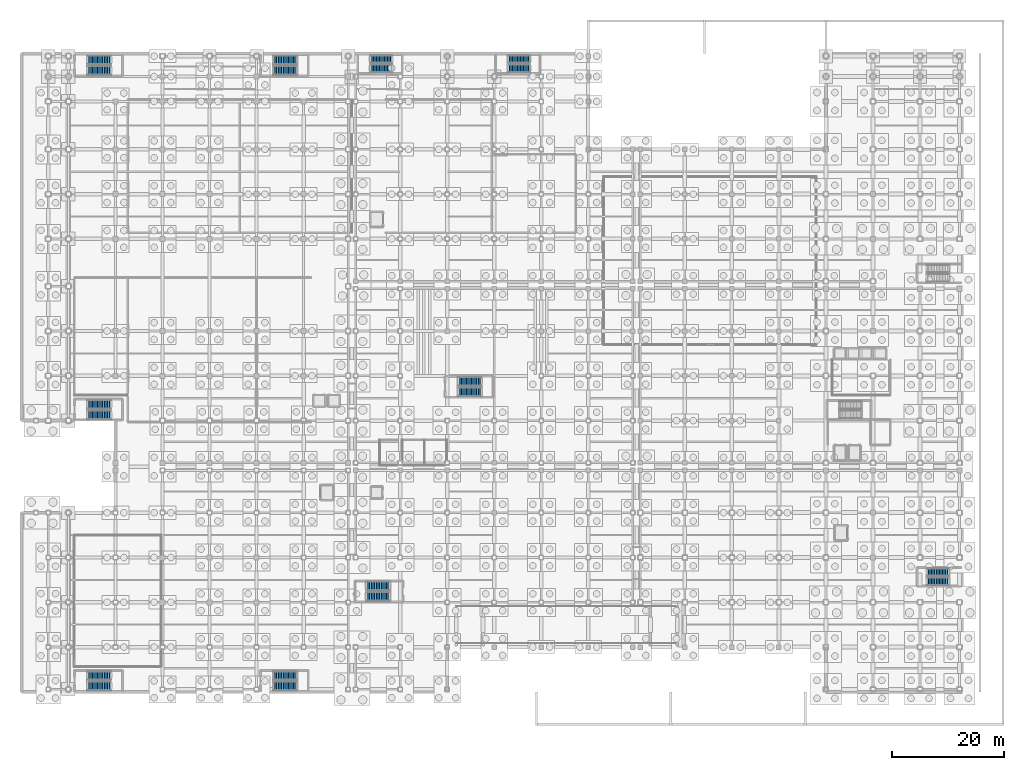
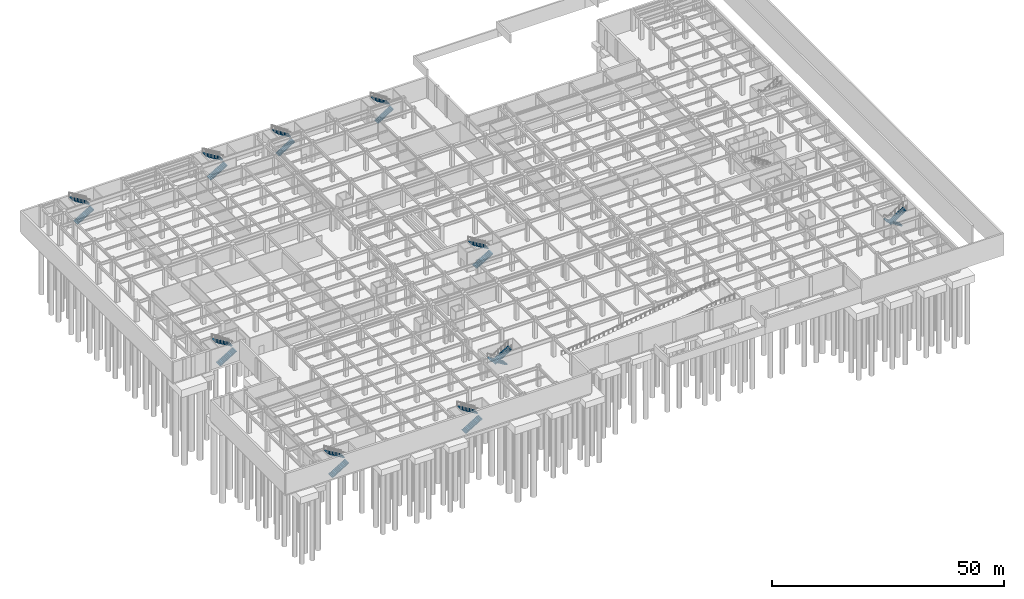
# One storey, part 40 of 55: 20 stair flights, 10 elements without a shape of their own.
"""IFC4 building model written with IfcOpenShell, lengths in metres."""

from ifc_helpers import new_model, si_unit, direction, frame, origin, place, context, subcontext, project, spatial, polyline, outline, extrude, material, type_object, element, aggregate, save


model = new_model("IFC4")

# Units and contexts
model_context = context("Model", 3, precision=1e-05, world=origin(), true_north=direction((0.0, 1.0)))
body_context = subcontext(model_context, "Body", "Model", "MODEL_VIEW")
ifc_project = project(units=[si_unit("LENGTHUNIT", "METRE"), si_unit("AREAUNIT", "SQUARE_METRE"), si_unit("VOLUMEUNIT", "CUBIC_METRE"), si_unit("PLANEANGLEUNIT", "RADIAN"), si_unit("MASSUNIT", "GRAM", prefix="KILO")], contexts=[model_context])

# Site, building, storey
site_placement = place(None, origin())
site = spatial("IfcSite", under=ifc_project, at=site_placement, CompositionType="ELEMENT")
building_placement = place(site_placement, origin())
building = spatial("IfcBuilding", under=site, at=building_placement, Name="Kazehara Bluff Congress Hotel", CompositionType="ELEMENT")
storey_placement = place(building_placement, frame((0.0, 0.0, -5.39990234375)))
storey = spatial("IfcBuildingStorey", under=building, at=storey_placement, Name="B1", CompositionType="ELEMENT", Elevation=-5.39990234375)

# Stair, stair flights
ifc_material_1 = material(Name="Concrete C36/45", Category="concrete")
stair_type_1 = type_object("IfcStairType", Name="TP-ST-T01", PredefinedType="HALF_TURN_STAIR", material=ifc_material_1)
stair_1_placement = place(storey_placement, origin())
stair_1 = element("IfcStair", 1, at=stair_1_placement, inside=storey, type_object=stair_type_1, Name="B1 Escape stair ST-01", PredefinedType="HALF_TURN_STAIR")
ifc_material_2 = material(Name="Concrete C36/45", Category="concrete")
stair_flight_type_1 = type_object("IfcStairFlightType", Name="TP-SF-T01", PredefinedType="STRAIGHT", material=ifc_material_2)
stair_flight_1_placement = place(storey_placement, frame((11.800048828125, 110.97509765625, 0.0), z_axis=(0.0, 0.0, 1.0), x_axis=(1.0, 0.0, 0.0)))
stair_flight_1 = element("IfcStairFlight", 2, at=stair_flight_1_placement, type_object=stair_flight_type_1, Name="ST-01 flight 1", NumberOfRisers=15, NumberOfTreads=14, PredefinedType="STRAIGHT", RiserHeight=0.18, TreadLength=0.3, context=body_context, shape_type="SweptSolid", body=[
    extrude(outline(polyline([(0.0, 0.0), (0.0, 0.179931640625), (0.300048828125, 0.179931640625), (0.300048828125, 0.360107421875), (0.60009765625, 0.360107421875), (0.60009765625, 0.5400390625), (0.89990234375, 0.5400390625), (0.89990234375, 0.719970703125), (1.199951171875, 0.719970703125), (1.199951171875, 0.89990234375), (1.5, 0.89990234375), (1.5, 1.080078125), (1.800048828125, 1.080078125), (1.800048828125, 1.260009765625), (2.10009765625, 1.260009765625), (2.10009765625, 1.43994140625), (2.39990234375, 1.43994140625), (2.39990234375, 1.6201171875), (2.699951171875, 1.6201171875), (2.699951171875, 1.800048828125), (3.0, 1.800048828125), (3.0, 1.97998046875), (3.300048828125, 1.97998046875), (3.300048828125, 2.159912109375), (3.60009765625, 2.159912109375), (3.60009765625, 2.340087890625), (3.89990234375, 2.340087890625), (3.89990234375, 2.52001953125), (4.199951171875, 2.52001953125), (4.199951171875, 2.699951171875), (4.199951171875, 2.33349609375), (0.310791015625, 0.0), (0.0, 0.0)])), frame((0.0, 0.824951171875, 0.0), z_axis=(0.0, -1.0, 0.0), x_axis=(1.0, 0.0, 0.0)), (0.0, 0.0, 1.0), 1.64990234375),
])
stair_flight_2_placement = place(storey_placement, frame((16.0, 112.824951171875, 2.699951171875), z_axis=(0.0, 0.0, 1.0), x_axis=(-1.0, 0.0, 0.0)))
stair_flight_2 = element("IfcStairFlight", 3, at=stair_flight_2_placement, type_object=stair_flight_type_1, Name="ST-01 flight 2", NumberOfRisers=15, NumberOfTreads=14, PredefinedType="STRAIGHT", RiserHeight=0.18, TreadLength=0.3, context=body_context, shape_type="SweptSolid", body=[
    extrude(outline(polyline([(0.0, 0.0), (0.0, 0.179931640625), (0.300048828125, 0.179931640625), (0.300048828125, 0.360107421875), (0.60009765625, 0.360107421875), (0.60009765625, 0.5400390625), (0.89990234375, 0.5400390625), (0.89990234375, 0.719970703125), (1.199951171875, 0.719970703125), (1.199951171875, 0.89990234375), (1.5, 0.89990234375), (1.5, 1.080078125), (1.800048828125, 1.080078125), (1.800048828125, 1.260009765625), (2.10009765625, 1.260009765625), (2.10009765625, 1.43994140625), (2.39990234375, 1.43994140625), (2.39990234375, 1.6201171875), (2.699951171875, 1.6201171875), (2.699951171875, 1.800048828125), (3.0, 1.800048828125), (3.0, 1.97998046875), (3.300048828125, 1.97998046875), (3.300048828125, 2.159912109375), (3.60009765625, 2.159912109375), (3.60009765625, 2.340087890625), (3.89990234375, 2.340087890625), (3.89990234375, 2.52001953125), (4.199951171875, 2.52001953125), (4.199951171875, 2.699951171875), (4.199951171875, 2.33349609375), (0.310791015625, 0.0), (0.0, 0.0)])), frame((0.0, 0.824951171875, 0.0), z_axis=(0.0, -1.0, 0.0), x_axis=(1.0, 0.0, 0.0)), (0.0, 0.0, 1.0), 1.64990234375),
])
aggregate(stair_1, [stair_flight_1, stair_flight_2])

stair_2_placement = place(storey_placement, origin())
stair_2 = element("IfcStair", 4, at=stair_2_placement, inside=storey, type_object=stair_type_1, Name="B1 Escape stair ST-02", PredefinedType="HALF_TURN_STAIR")
stair_flight_3_placement = place(storey_placement, frame((45.0, 110.97509765625, 0.0), z_axis=(0.0, 0.0, 1.0), x_axis=(1.0, 0.0, 0.0)))
stair_flight_3 = element("IfcStairFlight", 5, at=stair_flight_3_placement, type_object=stair_flight_type_1, Name="ST-02 flight 1", NumberOfRisers=15, NumberOfTreads=14, PredefinedType="STRAIGHT", RiserHeight=0.18, TreadLength=0.3, context=body_context, shape_type="SweptSolid", body=[
    extrude(outline(polyline([(0.0, 0.0), (0.0, 0.179931640625), (0.300048828125, 0.179931640625), (0.300048828125, 0.360107421875), (0.60009765625, 0.360107421875), (0.60009765625, 0.5400390625), (0.89990234375, 0.5400390625), (0.89990234375, 0.719970703125), (1.199951171875, 0.719970703125), (1.199951171875, 0.89990234375), (1.5, 0.89990234375), (1.5, 1.080078125), (1.800048828125, 1.080078125), (1.800048828125, 1.260009765625), (2.10009765625, 1.260009765625), (2.10009765625, 1.43994140625), (2.39990234375, 1.43994140625), (2.39990234375, 1.6201171875), (2.699951171875, 1.6201171875), (2.699951171875, 1.800048828125), (3.0, 1.800048828125), (3.0, 1.97998046875), (3.300048828125, 1.97998046875), (3.300048828125, 2.159912109375), (3.60009765625, 2.159912109375), (3.60009765625, 2.340087890625), (3.89990234375, 2.340087890625), (3.89990234375, 2.52001953125), (4.199951171875, 2.52001953125), (4.199951171875, 2.699951171875), (4.199951171875, 2.33349609375), (0.310791015625, 0.0), (0.0, 0.0)])), frame((0.0, 0.824951171875, 0.0), z_axis=(0.0, -1.0, 0.0), x_axis=(1.0, 0.0, 0.0)), (0.0, 0.0, 1.0), 1.64990234375),
])
stair_flight_4_placement = place(storey_placement, frame((49.199951171875, 112.824951171875, 2.699951171875), z_axis=(0.0, 0.0, 1.0), x_axis=(-1.0, 0.0, 0.0)))
stair_flight_4 = element("IfcStairFlight", 6, at=stair_flight_4_placement, type_object=stair_flight_type_1, Name="ST-02 flight 2", NumberOfRisers=15, NumberOfTreads=14, PredefinedType="STRAIGHT", RiserHeight=0.18, TreadLength=0.3, context=body_context, shape_type="SweptSolid", body=[
    extrude(outline(polyline([(0.0, 0.0), (0.0, 0.179931640625), (0.300048828125, 0.179931640625), (0.300048828125, 0.360107421875), (0.60009765625, 0.360107421875), (0.60009765625, 0.5400390625), (0.89990234375, 0.5400390625), (0.89990234375, 0.719970703125), (1.199951171875, 0.719970703125), (1.199951171875, 0.89990234375), (1.5, 0.89990234375), (1.5, 1.080078125), (1.800048828125, 1.080078125), (1.800048828125, 1.260009765625), (2.10009765625, 1.260009765625), (2.10009765625, 1.43994140625), (2.39990234375, 1.43994140625), (2.39990234375, 1.6201171875), (2.699951171875, 1.6201171875), (2.699951171875, 1.800048828125), (3.0, 1.800048828125), (3.0, 1.97998046875), (3.300048828125, 1.97998046875), (3.300048828125, 2.159912109375), (3.60009765625, 2.159912109375), (3.60009765625, 2.340087890625), (3.89990234375, 2.340087890625), (3.89990234375, 2.52001953125), (4.199951171875, 2.52001953125), (4.199951171875, 2.699951171875), (4.199951171875, 2.33349609375), (0.310791015625, 0.0), (0.0, 0.0)])), frame((0.0, 0.824951171875, 0.0), z_axis=(0.0, -1.0, 0.0), x_axis=(1.0, 0.0, 0.0)), (0.0, 0.0, 1.0), 1.64990234375),
])
aggregate(stair_2, [stair_flight_3, stair_flight_4])

stair_3_placement = place(storey_placement, origin())
stair_3 = element("IfcStair", 7, at=stair_3_placement, inside=storey, type_object=stair_type_1, Name="B1 Escape stair ST-03", PredefinedType="HALF_TURN_STAIR")
stair_flight_5_placement = place(storey_placement, frame((11.800048828125, 49.47509765625, 0.0), z_axis=(0.0, 0.0, 1.0), x_axis=(1.0, 0.0, 0.0)))
stair_flight_5 = element("IfcStairFlight", 8, at=stair_flight_5_placement, type_object=stair_flight_type_1, Name="ST-03 flight 1", NumberOfRisers=15, NumberOfTreads=14, PredefinedType="STRAIGHT", RiserHeight=0.18, TreadLength=0.3, context=body_context, shape_type="SweptSolid", body=[
    extrude(outline(polyline([(0.0, 0.0), (0.0, 0.179931640625), (0.300048828125, 0.179931640625), (0.300048828125, 0.360107421875), (0.60009765625, 0.360107421875), (0.60009765625, 0.5400390625), (0.89990234375, 0.5400390625), (0.89990234375, 0.719970703125), (1.199951171875, 0.719970703125), (1.199951171875, 0.89990234375), (1.5, 0.89990234375), (1.5, 1.080078125), (1.800048828125, 1.080078125), (1.800048828125, 1.260009765625), (2.10009765625, 1.260009765625), (2.10009765625, 1.43994140625), (2.39990234375, 1.43994140625), (2.39990234375, 1.6201171875), (2.699951171875, 1.6201171875), (2.699951171875, 1.800048828125), (3.0, 1.800048828125), (3.0, 1.97998046875), (3.300048828125, 1.97998046875), (3.300048828125, 2.159912109375), (3.60009765625, 2.159912109375), (3.60009765625, 2.340087890625), (3.89990234375, 2.340087890625), (3.89990234375, 2.52001953125), (4.199951171875, 2.52001953125), (4.199951171875, 2.699951171875), (4.199951171875, 2.33349609375), (0.310791015625, 0.0), (0.0, 0.0)])), frame((0.0, 0.824951171875, 0.0), z_axis=(0.0, -1.0, 0.0), x_axis=(1.0, 0.0, 0.0)), (0.0, 0.0, 1.0), 1.64990234375),
])
stair_flight_6_placement = place(storey_placement, frame((16.0, 51.324951171875, 2.699951171875), z_axis=(0.0, 0.0, 1.0), x_axis=(-1.0, 0.0, 0.0)))
stair_flight_6 = element("IfcStairFlight", 9, at=stair_flight_6_placement, type_object=stair_flight_type_1, Name="ST-03 flight 2", NumberOfRisers=15, NumberOfTreads=14, PredefinedType="STRAIGHT", RiserHeight=0.18, TreadLength=0.3, context=body_context, shape_type="SweptSolid", body=[
    extrude(outline(polyline([(0.0, 0.0), (0.0, 0.179931640625), (0.300048828125, 0.179931640625), (0.300048828125, 0.360107421875), (0.60009765625, 0.360107421875), (0.60009765625, 0.5400390625), (0.89990234375, 0.5400390625), (0.89990234375, 0.719970703125), (1.199951171875, 0.719970703125), (1.199951171875, 0.89990234375), (1.5, 0.89990234375), (1.5, 1.080078125), (1.800048828125, 1.080078125), (1.800048828125, 1.260009765625), (2.10009765625, 1.260009765625), (2.10009765625, 1.43994140625), (2.39990234375, 1.43994140625), (2.39990234375, 1.6201171875), (2.699951171875, 1.6201171875), (2.699951171875, 1.800048828125), (3.0, 1.800048828125), (3.0, 1.97998046875), (3.300048828125, 1.97998046875), (3.300048828125, 2.159912109375), (3.60009765625, 2.159912109375), (3.60009765625, 2.340087890625), (3.89990234375, 2.340087890625), (3.89990234375, 2.52001953125), (4.199951171875, 2.52001953125), (4.199951171875, 2.699951171875), (4.199951171875, 2.33349609375), (0.310791015625, 0.0), (0.0, 0.0)])), frame((0.0, 0.824951171875, 0.0), z_axis=(0.0, -1.0, 0.0), x_axis=(1.0, 0.0, 0.0)), (0.0, 0.0, 1.0), 1.64990234375),
])
aggregate(stair_3, [stair_flight_5, stair_flight_6])

stair_4_placement = place(storey_placement, origin())
stair_4 = element("IfcStair", 10, at=stair_4_placement, inside=storey, type_object=stair_type_1, Name="B1 Escape stair ST-04", PredefinedType="HALF_TURN_STAIR")
stair_flight_7_placement = place(storey_placement, frame((11.800048828125, 1.02490234375, 0.0), z_axis=(0.0, 0.0, 1.0), x_axis=(1.0, 0.0, 0.0)))
stair_flight_7 = element("IfcStairFlight", 11, at=stair_flight_7_placement, type_object=stair_flight_type_1, Name="ST-04 flight 1", NumberOfRisers=15, NumberOfTreads=14, PredefinedType="STRAIGHT", RiserHeight=0.18, TreadLength=0.3, context=body_context, shape_type="SweptSolid", body=[
    extrude(outline(polyline([(0.0, 0.0), (0.0, 0.179931640625), (0.300048828125, 0.179931640625), (0.300048828125, 0.360107421875), (0.60009765625, 0.360107421875), (0.60009765625, 0.5400390625), (0.89990234375, 0.5400390625), (0.89990234375, 0.719970703125), (1.199951171875, 0.719970703125), (1.199951171875, 0.89990234375), (1.5, 0.89990234375), (1.5, 1.080078125), (1.800048828125, 1.080078125), (1.800048828125, 1.260009765625), (2.10009765625, 1.260009765625), (2.10009765625, 1.43994140625), (2.39990234375, 1.43994140625), (2.39990234375, 1.6201171875), (2.699951171875, 1.6201171875), (2.699951171875, 1.800048828125), (3.0, 1.800048828125), (3.0, 1.97998046875), (3.300048828125, 1.97998046875), (3.300048828125, 2.159912109375), (3.60009765625, 2.159912109375), (3.60009765625, 2.340087890625), (3.89990234375, 2.340087890625), (3.89990234375, 2.52001953125), (4.199951171875, 2.52001953125), (4.199951171875, 2.699951171875), (4.199951171875, 2.33349609375), (0.310791015625, 0.0), (0.0, 0.0)])), frame((0.0, 0.824951171875, 0.0), z_axis=(0.0, -1.0, 0.0), x_axis=(1.0, 0.0, 0.0)), (0.0, 0.0, 1.0), 1.64990234375),
])
stair_flight_8_placement = place(storey_placement, frame((16.0, 2.875, 2.699951171875), z_axis=(0.0, 0.0, 1.0), x_axis=(-1.0, 0.0, 0.0)))
stair_flight_8 = element("IfcStairFlight", 12, at=stair_flight_8_placement, type_object=stair_flight_type_1, Name="ST-04 flight 2", NumberOfRisers=15, NumberOfTreads=14, PredefinedType="STRAIGHT", RiserHeight=0.18, TreadLength=0.3, context=body_context, shape_type="SweptSolid", body=[
    extrude(outline(polyline([(0.0, 0.0), (0.0, 0.179931640625), (0.300048828125, 0.179931640625), (0.300048828125, 0.360107421875), (0.60009765625, 0.360107421875), (0.60009765625, 0.5400390625), (0.89990234375, 0.5400390625), (0.89990234375, 0.719970703125), (1.199951171875, 0.719970703125), (1.199951171875, 0.89990234375), (1.5, 0.89990234375), (1.5, 1.080078125), (1.800048828125, 1.080078125), (1.800048828125, 1.260009765625), (2.10009765625, 1.260009765625), (2.10009765625, 1.43994140625), (2.39990234375, 1.43994140625), (2.39990234375, 1.6201171875), (2.699951171875, 1.6201171875), (2.699951171875, 1.800048828125), (3.0, 1.800048828125), (3.0, 1.97998046875), (3.300048828125, 1.97998046875), (3.300048828125, 2.159912109375), (3.60009765625, 2.159912109375), (3.60009765625, 2.340087890625), (3.89990234375, 2.340087890625), (3.89990234375, 2.52001953125), (4.199951171875, 2.52001953125), (4.199951171875, 2.699951171875), (4.199951171875, 2.33349609375), (0.310791015625, 0.0), (0.0, 0.0)])), frame((0.0, 0.824951171875, 0.0), z_axis=(0.0, -1.0, 0.0), x_axis=(1.0, 0.0, 0.0)), (0.0, 0.0, 1.0), 1.64990234375),
])
aggregate(stair_4, [stair_flight_7, stair_flight_8])

stair_5_placement = place(storey_placement, origin())
stair_5 = element("IfcStair", 13, at=stair_5_placement, inside=storey, type_object=stair_type_1, Name="B1 Escape stair ST-05", PredefinedType="HALF_TURN_STAIR")
stair_flight_9_placement = place(storey_placement, frame((45.0, 1.02490234375, 0.0), z_axis=(0.0, 0.0, 1.0), x_axis=(1.0, 0.0, 0.0)))
stair_flight_9 = element("IfcStairFlight", 14, at=stair_flight_9_placement, type_object=stair_flight_type_1, Name="ST-05 flight 1", NumberOfRisers=15, NumberOfTreads=14, PredefinedType="STRAIGHT", RiserHeight=0.18, TreadLength=0.3, context=body_context, shape_type="SweptSolid", body=[
    extrude(outline(polyline([(0.0, 0.0), (0.0, 0.179931640625), (0.300048828125, 0.179931640625), (0.300048828125, 0.360107421875), (0.60009765625, 0.360107421875), (0.60009765625, 0.5400390625), (0.89990234375, 0.5400390625), (0.89990234375, 0.719970703125), (1.199951171875, 0.719970703125), (1.199951171875, 0.89990234375), (1.5, 0.89990234375), (1.5, 1.080078125), (1.800048828125, 1.080078125), (1.800048828125, 1.260009765625), (2.10009765625, 1.260009765625), (2.10009765625, 1.43994140625), (2.39990234375, 1.43994140625), (2.39990234375, 1.6201171875), (2.699951171875, 1.6201171875), (2.699951171875, 1.800048828125), (3.0, 1.800048828125), (3.0, 1.97998046875), (3.300048828125, 1.97998046875), (3.300048828125, 2.159912109375), (3.60009765625, 2.159912109375), (3.60009765625, 2.340087890625), (3.89990234375, 2.340087890625), (3.89990234375, 2.52001953125), (4.199951171875, 2.52001953125), (4.199951171875, 2.699951171875), (4.199951171875, 2.33349609375), (0.310791015625, 0.0), (0.0, 0.0)])), frame((0.0, 0.824951171875, 0.0), z_axis=(0.0, -1.0, 0.0), x_axis=(1.0, 0.0, 0.0)), (0.0, 0.0, 1.0), 1.64990234375),
])
stair_flight_10_placement = place(storey_placement, frame((49.199951171875, 2.875, 2.699951171875), z_axis=(0.0, 0.0, 1.0), x_axis=(-1.0, 0.0, 0.0)))
stair_flight_10 = element("IfcStairFlight", 15, at=stair_flight_10_placement, type_object=stair_flight_type_1, Name="ST-05 flight 2", NumberOfRisers=15, NumberOfTreads=14, PredefinedType="STRAIGHT", RiserHeight=0.18, TreadLength=0.3, context=body_context, shape_type="SweptSolid", body=[
    extrude(outline(polyline([(0.0, 0.0), (0.0, 0.179931640625), (0.300048828125, 0.179931640625), (0.300048828125, 0.360107421875), (0.60009765625, 0.360107421875), (0.60009765625, 0.5400390625), (0.89990234375, 0.5400390625), (0.89990234375, 0.719970703125), (1.199951171875, 0.719970703125), (1.199951171875, 0.89990234375), (1.5, 0.89990234375), (1.5, 1.080078125), (1.800048828125, 1.080078125), (1.800048828125, 1.260009765625), (2.10009765625, 1.260009765625), (2.10009765625, 1.43994140625), (2.39990234375, 1.43994140625), (2.39990234375, 1.6201171875), (2.699951171875, 1.6201171875), (2.699951171875, 1.800048828125), (3.0, 1.800048828125), (3.0, 1.97998046875), (3.300048828125, 1.97998046875), (3.300048828125, 2.159912109375), (3.60009765625, 2.159912109375), (3.60009765625, 2.340087890625), (3.89990234375, 2.340087890625), (3.89990234375, 2.52001953125), (4.199951171875, 2.52001953125), (4.199951171875, 2.699951171875), (4.199951171875, 2.33349609375), (0.310791015625, 0.0), (0.0, 0.0)])), frame((0.0, 0.824951171875, 0.0), z_axis=(0.0, -1.0, 0.0), x_axis=(1.0, 0.0, 0.0)), (0.0, 0.0, 1.0), 1.64990234375),
])
aggregate(stair_5, [stair_flight_9, stair_flight_10])

stair_6_placement = place(storey_placement, origin())
stair_6 = element("IfcStair", 16, at=stair_6_placement, inside=storey, type_object=stair_type_1, Name="B1 Escape stair ST-08", PredefinedType="HALF_TURN_STAIR")
stair_flight_11_placement = place(storey_placement, frame((65.800048828125, 18.875, 0.0), z_axis=(0.0, 0.0, 1.0), x_axis=(-1.0, 0.0, 0.0)))
stair_flight_11 = element("IfcStairFlight", 17, at=stair_flight_11_placement, type_object=stair_flight_type_1, Name="ST-08 flight 1", NumberOfRisers=15, NumberOfTreads=14, PredefinedType="STRAIGHT", RiserHeight=0.18, TreadLength=0.3, context=body_context, shape_type="SweptSolid", body=[
    extrude(outline(polyline([(0.0, 0.0), (0.0, 0.179931640625), (0.300048828125, 0.179931640625), (0.300048828125, 0.360107421875), (0.60009765625, 0.360107421875), (0.60009765625, 0.5400390625), (0.89990234375, 0.5400390625), (0.89990234375, 0.719970703125), (1.199951171875, 0.719970703125), (1.199951171875, 0.89990234375), (1.5, 0.89990234375), (1.5, 1.080078125), (1.800048828125, 1.080078125), (1.800048828125, 1.260009765625), (2.10009765625, 1.260009765625), (2.10009765625, 1.43994140625), (2.39990234375, 1.43994140625), (2.39990234375, 1.6201171875), (2.699951171875, 1.6201171875), (2.699951171875, 1.800048828125), (3.0, 1.800048828125), (3.0, 1.97998046875), (3.300048828125, 1.97998046875), (3.300048828125, 2.159912109375), (3.60009765625, 2.159912109375), (3.60009765625, 2.340087890625), (3.89990234375, 2.340087890625), (3.89990234375, 2.52001953125), (4.199951171875, 2.52001953125), (4.199951171875, 2.699951171875), (4.199951171875, 2.33349609375), (0.310791015625, 0.0), (0.0, 0.0)])), frame((0.0, 0.824951171875, 0.0), z_axis=(0.0, -1.0, 0.0), x_axis=(1.0, 0.0, 0.0)), (0.0, 0.0, 1.0), 1.64990234375),
])
stair_flight_12_placement = place(storey_placement, frame((61.60009765625, 17.02490234375, 2.699951171875), z_axis=(0.0, 0.0, 1.0), x_axis=(1.0, 0.0, 0.0)))
stair_flight_12 = element("IfcStairFlight", 18, at=stair_flight_12_placement, type_object=stair_flight_type_1, Name="ST-08 flight 2", NumberOfRisers=15, NumberOfTreads=14, PredefinedType="STRAIGHT", RiserHeight=0.18, TreadLength=0.3, context=body_context, shape_type="SweptSolid", body=[
    extrude(outline(polyline([(0.0, 0.0), (0.0, 0.179931640625), (0.300048828125, 0.179931640625), (0.300048828125, 0.360107421875), (0.60009765625, 0.360107421875), (0.60009765625, 0.5400390625), (0.89990234375, 0.5400390625), (0.89990234375, 0.719970703125), (1.199951171875, 0.719970703125), (1.199951171875, 0.89990234375), (1.5, 0.89990234375), (1.5, 1.080078125), (1.800048828125, 1.080078125), (1.800048828125, 1.260009765625), (2.10009765625, 1.260009765625), (2.10009765625, 1.43994140625), (2.39990234375, 1.43994140625), (2.39990234375, 1.6201171875), (2.699951171875, 1.6201171875), (2.699951171875, 1.800048828125), (3.0, 1.800048828125), (3.0, 1.97998046875), (3.300048828125, 1.97998046875), (3.300048828125, 2.159912109375), (3.60009765625, 2.159912109375), (3.60009765625, 2.340087890625), (3.89990234375, 2.340087890625), (3.89990234375, 2.52001953125), (4.199951171875, 2.52001953125), (4.199951171875, 2.699951171875), (4.199951171875, 2.33349609375), (0.310791015625, 0.0), (0.0, 0.0)])), frame((0.0, 0.824951171875, 0.0), z_axis=(0.0, -1.0, 0.0), x_axis=(1.0, 0.0, 0.0)), (0.0, 0.0, 1.0), 1.64990234375),
])
aggregate(stair_6, [stair_flight_11, stair_flight_12])

stair_7_placement = place(storey_placement, origin())
stair_7 = element("IfcStair", 19, at=stair_7_placement, inside=storey, type_object=stair_type_1, Name="B1 Escape stair ST-09", PredefinedType="HALF_TURN_STAIR")
stair_flight_13_placement = place(storey_placement, frame((78.0, 53.574951171875, 0.0), z_axis=(0.0, 0.0, 1.0), x_axis=(1.0, 0.0, 0.0)))
stair_flight_13 = element("IfcStairFlight", 20, at=stair_flight_13_placement, type_object=stair_flight_type_1, Name="ST-09 flight 1", NumberOfRisers=15, NumberOfTreads=14, PredefinedType="STRAIGHT", RiserHeight=0.18, TreadLength=0.3, context=body_context, shape_type="SweptSolid", body=[
    extrude(outline(polyline([(0.0, 0.0), (0.0, 0.179931640625), (0.300048828125, 0.179931640625), (0.300048828125, 0.360107421875), (0.60009765625, 0.360107421875), (0.60009765625, 0.5400390625), (0.89990234375, 0.5400390625), (0.89990234375, 0.719970703125), (1.199951171875, 0.719970703125), (1.199951171875, 0.89990234375), (1.5, 0.89990234375), (1.5, 1.080078125), (1.800048828125, 1.080078125), (1.800048828125, 1.260009765625), (2.10009765625, 1.260009765625), (2.10009765625, 1.43994140625), (2.39990234375, 1.43994140625), (2.39990234375, 1.6201171875), (2.699951171875, 1.6201171875), (2.699951171875, 1.800048828125), (3.0, 1.800048828125), (3.0, 1.97998046875), (3.300048828125, 1.97998046875), (3.300048828125, 2.159912109375), (3.60009765625, 2.159912109375), (3.60009765625, 2.340087890625), (3.89990234375, 2.340087890625), (3.89990234375, 2.52001953125), (4.199951171875, 2.52001953125), (4.199951171875, 2.699951171875), (4.199951171875, 2.33349609375), (0.310791015625, 0.0), (0.0, 0.0)])), frame((0.0, 0.824951171875, 0.0), z_axis=(0.0, -1.0, 0.0), x_axis=(1.0, 0.0, 0.0)), (0.0, 0.0, 1.0), 1.64990234375),
])
stair_flight_14_placement = place(storey_placement, frame((82.199951171875, 55.425048828125, 2.699951171875), z_axis=(0.0, 0.0, 1.0), x_axis=(-1.0, 0.0, 0.0)))
stair_flight_14 = element("IfcStairFlight", 21, at=stair_flight_14_placement, type_object=stair_flight_type_1, Name="ST-09 flight 2", NumberOfRisers=15, NumberOfTreads=14, PredefinedType="STRAIGHT", RiserHeight=0.18, TreadLength=0.3, context=body_context, shape_type="SweptSolid", body=[
    extrude(outline(polyline([(0.0, 0.0), (0.0, 0.179931640625), (0.300048828125, 0.179931640625), (0.300048828125, 0.360107421875), (0.60009765625, 0.360107421875), (0.60009765625, 0.5400390625), (0.89990234375, 0.5400390625), (0.89990234375, 0.719970703125), (1.199951171875, 0.719970703125), (1.199951171875, 0.89990234375), (1.5, 0.89990234375), (1.5, 1.080078125), (1.800048828125, 1.080078125), (1.800048828125, 1.260009765625), (2.10009765625, 1.260009765625), (2.10009765625, 1.43994140625), (2.39990234375, 1.43994140625), (2.39990234375, 1.6201171875), (2.699951171875, 1.6201171875), (2.699951171875, 1.800048828125), (3.0, 1.800048828125), (3.0, 1.97998046875), (3.300048828125, 1.97998046875), (3.300048828125, 2.159912109375), (3.60009765625, 2.159912109375), (3.60009765625, 2.340087890625), (3.89990234375, 2.340087890625), (3.89990234375, 2.52001953125), (4.199951171875, 2.52001953125), (4.199951171875, 2.699951171875), (4.199951171875, 2.33349609375), (0.310791015625, 0.0), (0.0, 0.0)])), frame((0.0, 0.824951171875, 0.0), z_axis=(0.0, -1.0, 0.0), x_axis=(1.0, 0.0, 0.0)), (0.0, 0.0, 1.0), 1.64990234375),
])
aggregate(stair_7, [stair_flight_13, stair_flight_14])

ifc_material_3 = material(Name="Concrete C36/45", Category="concrete")
stair_type_2 = type_object("IfcStairType", Name="TP-ST-T03", PredefinedType="HALF_TURN_STAIR", material=ifc_material_3)
stair_8_placement = place(storey_placement, origin())
stair_8 = element("IfcStair", 22, at=stair_8_placement, inside=storey, type_object=stair_type_2, Name="B1 Escape stair ST-06", PredefinedType="HALF_TURN_STAIR")
ifc_material_4 = material(Name="Concrete C36/45", Category="concrete")
stair_flight_type_2 = type_object("IfcStairFlightType", Name="TP-SF-T03", PredefinedType="STRAIGHT", material=ifc_material_4)
stair_flight_15_placement = place(storey_placement, frame((62.300048828125, 111.324951171875, 0.0), z_axis=(0.0, 0.0, 1.0), x_axis=(1.0, 0.0, 0.0)))
stair_flight_15 = element("IfcStairFlight", 23, at=stair_flight_15_placement, type_object=stair_flight_type_2, Name="ST-06 flight 1", NumberOfRisers=15, NumberOfTreads=14, PredefinedType="STRAIGHT", RiserHeight=0.18, TreadLength=0.28, context=body_context, shape_type="SweptSolid", body=[
    extrude(outline(polyline([(0.0, 0.0), (0.0, 0.179931640625), (0.280029296875, 0.179931640625), (0.280029296875, 0.360107421875), (0.56005859375, 0.360107421875), (0.56005859375, 0.5400390625), (0.840087890625, 0.5400390625), (0.840087890625, 0.719970703125), (1.1201171875, 0.719970703125), (1.1201171875, 0.89990234375), (1.39990234375, 0.89990234375), (1.39990234375, 1.080078125), (1.679931640625, 1.080078125), (1.679931640625, 1.260009765625), (1.9599609375, 1.260009765625), (1.9599609375, 1.43994140625), (2.239990234375, 1.43994140625), (2.239990234375, 1.6201171875), (2.52001953125, 1.6201171875), (2.52001953125, 1.800048828125), (2.800048828125, 1.800048828125), (2.800048828125, 1.97998046875), (3.080078125, 1.97998046875), (3.080078125, 2.159912109375), (3.360107421875, 2.159912109375), (3.360107421875, 2.340087890625), (3.639892578125, 2.340087890625), (3.639892578125, 2.52001953125), (3.919921875, 2.52001953125), (3.919921875, 2.699951171875), (3.919921875, 2.329833984375), (0.295654296875, 0.0), (0.0, 0.0)])), frame((0.0, 0.72509765625, 0.0), z_axis=(0.0, -1.0, 0.0), x_axis=(1.0, 0.0, 0.0)), (0.0, 0.0, 1.0), 1.449951171875),
])
stair_flight_16_placement = place(storey_placement, frame((66.219970703125, 112.97509765625, 2.699951171875), z_axis=(0.0, 0.0, 1.0), x_axis=(-1.0, 0.0, 0.0)))
stair_flight_16 = element("IfcStairFlight", 24, at=stair_flight_16_placement, type_object=stair_flight_type_2, Name="ST-06 flight 2", NumberOfRisers=15, NumberOfTreads=14, PredefinedType="STRAIGHT", RiserHeight=0.18, TreadLength=0.28, context=body_context, shape_type="SweptSolid", body=[
    extrude(outline(polyline([(0.0, 0.0), (0.0, 0.179931640625), (0.280029296875, 0.179931640625), (0.280029296875, 0.360107421875), (0.56005859375, 0.360107421875), (0.56005859375, 0.5400390625), (0.840087890625, 0.5400390625), (0.840087890625, 0.719970703125), (1.1201171875, 0.719970703125), (1.1201171875, 0.89990234375), (1.39990234375, 0.89990234375), (1.39990234375, 1.080078125), (1.679931640625, 1.080078125), (1.679931640625, 1.260009765625), (1.9599609375, 1.260009765625), (1.9599609375, 1.43994140625), (2.239990234375, 1.43994140625), (2.239990234375, 1.6201171875), (2.52001953125, 1.6201171875), (2.52001953125, 1.800048828125), (2.800048828125, 1.800048828125), (2.800048828125, 1.97998046875), (3.080078125, 1.97998046875), (3.080078125, 2.159912109375), (3.360107421875, 2.159912109375), (3.360107421875, 2.340087890625), (3.639892578125, 2.340087890625), (3.639892578125, 2.52001953125), (3.919921875, 2.52001953125), (3.919921875, 2.699951171875), (3.919921875, 2.329833984375), (0.295654296875, 0.0), (0.0, 0.0)])), frame((0.0, 0.72509765625, 0.0), z_axis=(0.0, -1.0, 0.0), x_axis=(1.0, 0.0, 0.0)), (0.0, 0.0, 1.0), 1.449951171875),
])
aggregate(stair_8, [stair_flight_15, stair_flight_16])

stair_9_placement = place(storey_placement, origin())
stair_9 = element("IfcStair", 25, at=stair_9_placement, inside=storey, type_object=stair_type_2, Name="B1 Escape stair ST-07", PredefinedType="HALF_TURN_STAIR")
stair_flight_17_placement = place(storey_placement, frame((86.89990234375, 111.324951171875, 0.0), z_axis=(0.0, 0.0, 1.0), x_axis=(1.0, 0.0, 0.0)))
stair_flight_17 = element("IfcStairFlight", 26, at=stair_flight_17_placement, type_object=stair_flight_type_2, Name="ST-07 flight 1", NumberOfRisers=15, NumberOfTreads=14, PredefinedType="STRAIGHT", RiserHeight=0.18, TreadLength=0.28, context=body_context, shape_type="SweptSolid", body=[
    extrude(outline(polyline([(0.0, 0.0), (0.0, 0.179931640625), (0.280029296875, 0.179931640625), (0.280029296875, 0.360107421875), (0.56005859375, 0.360107421875), (0.56005859375, 0.5400390625), (0.840087890625, 0.5400390625), (0.840087890625, 0.719970703125), (1.1201171875, 0.719970703125), (1.1201171875, 0.89990234375), (1.39990234375, 0.89990234375), (1.39990234375, 1.080078125), (1.679931640625, 1.080078125), (1.679931640625, 1.260009765625), (1.9599609375, 1.260009765625), (1.9599609375, 1.43994140625), (2.239990234375, 1.43994140625), (2.239990234375, 1.6201171875), (2.52001953125, 1.6201171875), (2.52001953125, 1.800048828125), (2.800048828125, 1.800048828125), (2.800048828125, 1.97998046875), (3.080078125, 1.97998046875), (3.080078125, 2.159912109375), (3.360107421875, 2.159912109375), (3.360107421875, 2.340087890625), (3.639892578125, 2.340087890625), (3.639892578125, 2.52001953125), (3.919921875, 2.52001953125), (3.919921875, 2.699951171875), (3.919921875, 2.329833984375), (0.295654296875, 0.0), (0.0, 0.0)])), frame((0.0, 0.72509765625, 0.0), z_axis=(0.0, -1.0, 0.0), x_axis=(1.0, 0.0, 0.0)), (0.0, 0.0, 1.0), 1.449951171875),
])
stair_flight_18_placement = place(storey_placement, frame((90.820068359375, 112.97509765625, 2.699951171875), z_axis=(0.0, 0.0, 1.0), x_axis=(-1.0, 0.0, 0.0)))
stair_flight_18 = element("IfcStairFlight", 27, at=stair_flight_18_placement, type_object=stair_flight_type_2, Name="ST-07 flight 2", NumberOfRisers=15, NumberOfTreads=14, PredefinedType="STRAIGHT", RiserHeight=0.18, TreadLength=0.28, context=body_context, shape_type="SweptSolid", body=[
    extrude(outline(polyline([(0.0, 0.0), (0.0, 0.179931640625), (0.280029296875, 0.179931640625), (0.280029296875, 0.360107421875), (0.56005859375, 0.360107421875), (0.56005859375, 0.5400390625), (0.840087890625, 0.5400390625), (0.840087890625, 0.719970703125), (1.1201171875, 0.719970703125), (1.1201171875, 0.89990234375), (1.39990234375, 0.89990234375), (1.39990234375, 1.080078125), (1.679931640625, 1.080078125), (1.679931640625, 1.260009765625), (1.9599609375, 1.260009765625), (1.9599609375, 1.43994140625), (2.239990234375, 1.43994140625), (2.239990234375, 1.6201171875), (2.52001953125, 1.6201171875), (2.52001953125, 1.800048828125), (2.800048828125, 1.800048828125), (2.800048828125, 1.97998046875), (3.080078125, 1.97998046875), (3.080078125, 2.159912109375), (3.360107421875, 2.159912109375), (3.360107421875, 2.340087890625), (3.639892578125, 2.340087890625), (3.639892578125, 2.52001953125), (3.919921875, 2.52001953125), (3.919921875, 2.699951171875), (3.919921875, 2.329833984375), (0.295654296875, 0.0), (0.0, 0.0)])), frame((0.0, 0.72509765625, 0.0), z_axis=(0.0, -1.0, 0.0), x_axis=(1.0, 0.0, 0.0)), (0.0, 0.0, 1.0), 1.449951171875),
])
aggregate(stair_9, [stair_flight_17, stair_flight_18])

stair_10_placement = place(storey_placement, origin())
stair_10 = element("IfcStair", 28, at=stair_10_placement, inside=storey, type_object=stair_type_2, Name="B1 Escape stair ST-10", PredefinedType="HALF_TURN_STAIR")
stair_flight_19_placement = place(storey_placement, frame((165.64990234375, 21.375, 0.0), z_axis=(0.0, 0.0, 1.0), x_axis=(-1.0, 0.0, 0.0)))
stair_flight_19 = element("IfcStairFlight", 29, at=stair_flight_19_placement, type_object=stair_flight_type_2, Name="ST-10 flight 1", NumberOfRisers=15, NumberOfTreads=14, PredefinedType="STRAIGHT", RiserHeight=0.18, TreadLength=0.28, context=body_context, shape_type="SweptSolid", body=[
    extrude(outline(polyline([(0.0, 0.0), (0.0, 0.179931640625), (0.280029296875, 0.179931640625), (0.280029296875, 0.360107421875), (0.56005859375, 0.360107421875), (0.56005859375, 0.5400390625), (0.840087890625, 0.5400390625), (0.840087890625, 0.719970703125), (1.1201171875, 0.719970703125), (1.1201171875, 0.89990234375), (1.39990234375, 0.89990234375), (1.39990234375, 1.080078125), (1.679931640625, 1.080078125), (1.679931640625, 1.260009765625), (1.9599609375, 1.260009765625), (1.9599609375, 1.43994140625), (2.239990234375, 1.43994140625), (2.239990234375, 1.6201171875), (2.52001953125, 1.6201171875), (2.52001953125, 1.800048828125), (2.800048828125, 1.800048828125), (2.800048828125, 1.97998046875), (3.080078125, 1.97998046875), (3.080078125, 2.159912109375), (3.360107421875, 2.159912109375), (3.360107421875, 2.340087890625), (3.639892578125, 2.340087890625), (3.639892578125, 2.52001953125), (3.919921875, 2.52001953125), (3.919921875, 2.699951171875), (3.919921875, 2.329833984375), (0.295654296875, 0.0), (0.0, 0.0)])), frame((0.0, 0.72509765625, 0.0), z_axis=(0.0, -1.0, 0.0), x_axis=(1.0, 0.0, 0.0)), (0.0, 0.0, 1.0), 1.449951171875),
])
stair_flight_20_placement = place(storey_placement, frame((161.72998046875, 19.72509765625, 2.699951171875), z_axis=(0.0, 0.0, 1.0), x_axis=(1.0, 0.0, 0.0)))
stair_flight_20 = element("IfcStairFlight", 30, at=stair_flight_20_placement, type_object=stair_flight_type_2, Name="ST-10 flight 2", NumberOfRisers=15, NumberOfTreads=14, PredefinedType="STRAIGHT", RiserHeight=0.18, TreadLength=0.28, context=body_context, shape_type="SweptSolid", body=[
    extrude(outline(polyline([(0.0, 0.0), (0.0, 0.179931640625), (0.280029296875, 0.179931640625), (0.280029296875, 0.360107421875), (0.56005859375, 0.360107421875), (0.56005859375, 0.5400390625), (0.840087890625, 0.5400390625), (0.840087890625, 0.719970703125), (1.1201171875, 0.719970703125), (1.1201171875, 0.89990234375), (1.39990234375, 0.89990234375), (1.39990234375, 1.080078125), (1.679931640625, 1.080078125), (1.679931640625, 1.260009765625), (1.9599609375, 1.260009765625), (1.9599609375, 1.43994140625), (2.239990234375, 1.43994140625), (2.239990234375, 1.6201171875), (2.52001953125, 1.6201171875), (2.52001953125, 1.800048828125), (2.800048828125, 1.800048828125), (2.800048828125, 1.97998046875), (3.080078125, 1.97998046875), (3.080078125, 2.159912109375), (3.360107421875, 2.159912109375), (3.360107421875, 2.340087890625), (3.639892578125, 2.340087890625), (3.639892578125, 2.52001953125), (3.919921875, 2.52001953125), (3.919921875, 2.699951171875), (3.919921875, 2.329833984375), (0.295654296875, 0.0), (0.0, 0.0)])), frame((0.0, 0.72509765625, 0.0), z_axis=(0.0, -1.0, 0.0), x_axis=(1.0, 0.0, 0.0)), (0.0, 0.0, 1.0), 1.449951171875),
])
aggregate(stair_10, [stair_flight_19, stair_flight_20])

save(model, "model.ifc")
